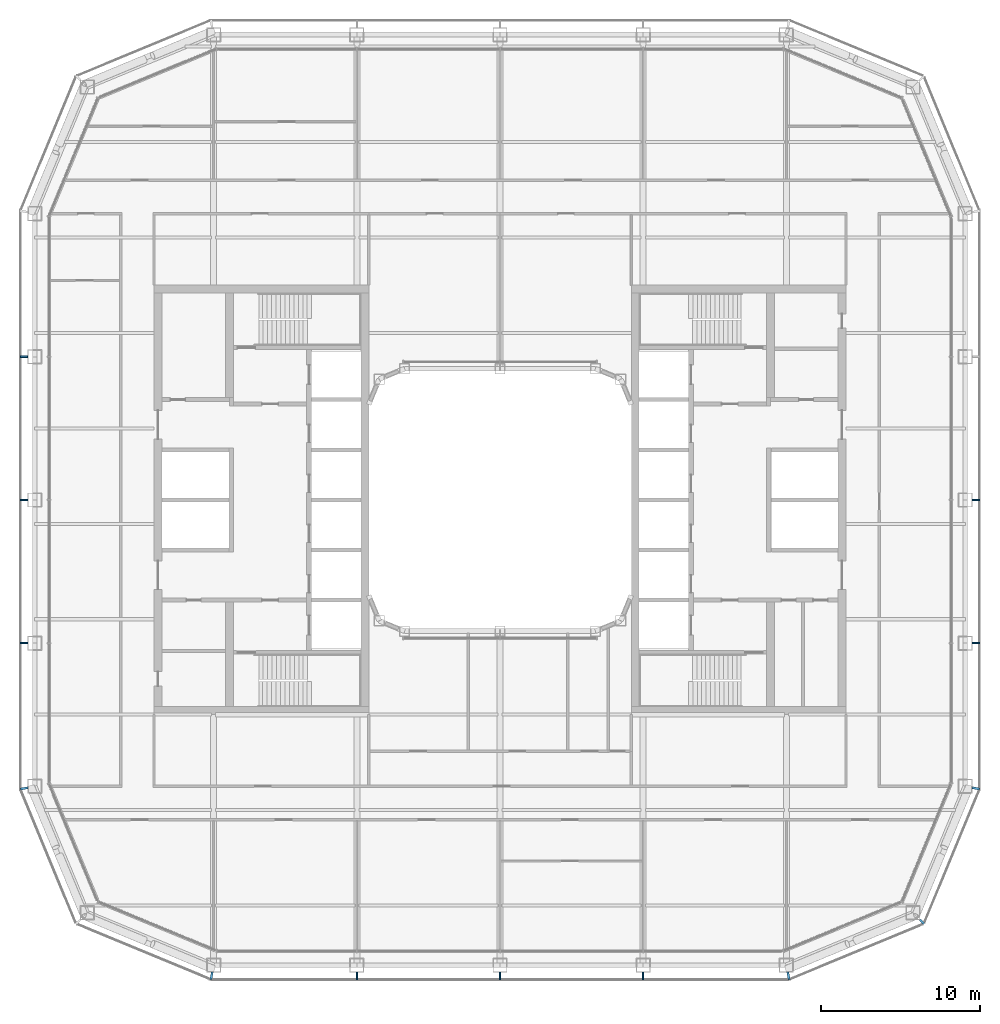
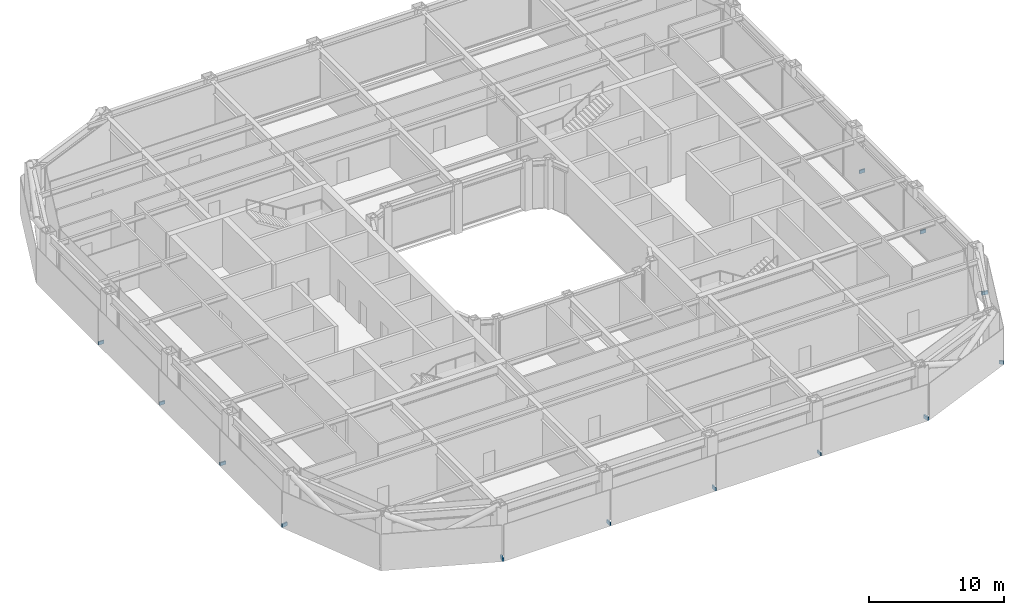
# One storey, part 15 of 21: 13 discrete accessories.
"""IFC4 building model written with IfcOpenShell, lengths in metres."""

from ifc_helpers import new_model, si_unit, direction, frame, origin, origin_2d, place, context, subcontext, project, spatial, rectangle, extrude, material, type_object, element, save


model = new_model("IFC4")

# Units and contexts
model_context = context("Model", 3, precision=1e-05, world=origin(), true_north=direction((0.0, 1.0)))
body_context = subcontext(model_context, "Body", "Model", "MODEL_VIEW")
ifc_project = project(units=[si_unit("LENGTHUNIT", "METRE"), si_unit("AREAUNIT", "SQUARE_METRE"), si_unit("VOLUMEUNIT", "CUBIC_METRE"), si_unit("PLANEANGLEUNIT", "RADIAN"), si_unit("MASSUNIT", "GRAM", prefix="KILO")], contexts=[model_context])

# Site, building, storey
site_placement = place(None, origin())
site = spatial("IfcSite", under=ifc_project, at=site_placement, CompositionType="ELEMENT")
building_placement = place(site_placement, origin())
building = spatial("IfcBuilding", under=site, at=building_placement, Name="Siwar Civic Tower", CompositionType="ELEMENT")
storey_placement = place(building_placement, frame((0.0, 0.0, 158.699951171875)))
storey = spatial("IfcBuildingStorey", under=building, at=storey_placement, Name="L34", CompositionType="ELEMENT", Elevation=158.699951171875)

# Discrete accessories
ifc_material = material(Name="Stainless steel 316", Category="steel")
discrete_accessory_type = type_object("IfcDiscreteAccessoryType", Name="ENV-BRACKET", PredefinedType="BRACKET", material=ifc_material)
for number, where, z_axis, x_axis, name in (
    (1, (29.9150390625, -9.0, -0.14990234375), (0.0, 0.0, 1.0), (1.0, 0.0, 0.0), "Bracket outer skin joint E-01"),
    (2, (29.9150390625, 0.0, -0.14990234375), (0.0, 0.0, 1.0), (1.0, 0.0, 0.0), "Bracket outer skin joint E-02"),
    (3, (-9.0, -29.9150390625, -0.14990234375), (0.0, 0.0, 1.0), (0.0, -1.0, 0.0), "Bracket outer skin joint S-01"),
    (4, (0.0, -29.9150390625, -0.14990234375), (0.0, 0.0, 1.0), (0.0, -1.0, 0.0), "Bracket outer skin joint S-02"),
    (5, (9.0, -29.9150390625, -0.14990234375), (0.0, 0.0, 1.0), (0.0, -1.0, 0.0), "Bracket outer skin joint S-03"),
):
    element("IfcDiscreteAccessory", number, at=place(storey_placement, frame(where, z_axis=z_axis, x_axis=x_axis)), inside=storey, type_object=discrete_accessory_type, Name=name, PredefinedType="BRACKET", context=body_context, shape_type="SweptSolid", body=[
        extrude(rectangle(XDim=0.469970703125, YDim=0.10009765625, at=origin_2d()), origin(), (0.0, 0.0, 1.0), 0.300048828125),
    ])
for number, where, z_axis, x_axis, name in (
    (6, (-18.13232421875, -29.915283203125, -0.14990234375), (0.0, 0.0, 1.0), (-0.195090322016, -0.980785280403, 0.0), "Bracket outer skin joint V00"),
    (7, (18.13232421875, -29.915283203125, -0.14990234375), (0.0, 0.0, 1.0), (0.195090322016, -0.980785280403, 0.0), "Bracket outer skin joint V01"),
):
    element("IfcDiscreteAccessory", number, at=place(storey_placement, frame(where, z_axis=z_axis, x_axis=x_axis)), inside=storey, type_object=discrete_accessory_type, Name=name, PredefinedType="BRACKET", context=body_context, shape_type="SweptSolid", body=[
        extrude(rectangle(XDim=0.478759765625, YDim=0.13720703125, at=origin_2d()), origin(), (0.0, 0.0, 1.0), 0.300048828125),
    ])
discrete_accessory_placement = place(storey_placement, frame((26.517333984375, -26.517333984375, -0.14990234375), z_axis=(0.0, 0.0, 1.0), x_axis=(0.707106781187, -0.707106781187, 0.0)))
element("IfcDiscreteAccessory", 8, at=discrete_accessory_placement, inside=storey, type_object=discrete_accessory_type, Name="Bracket outer skin joint V02", PredefinedType="BRACKET", context=body_context, shape_type="SweptSolid", body=[
    extrude(rectangle(XDim=0.357666015625, YDim=0.12939453125, at=origin_2d()), origin(), (0.0, 0.0, 1.0), 0.300048828125),
])
for number, where, z_axis, x_axis, name in (
    (9, (29.915283203125, -18.13232421875, -0.14990234375), (0.0, 0.0, 1.0), (0.980785280403, -0.195090322016, 0.0), "Bracket outer skin joint V03"),
    (10, (-29.915283203125, -18.13232421875, -0.14990234375), (0.0, 0.0, 1.0), (-0.980785280403, -0.195090322016, 0.0), "Bracket outer skin joint V10"),
):
    element("IfcDiscreteAccessory", number, at=place(storey_placement, frame(where, z_axis=z_axis, x_axis=x_axis)), inside=storey, type_object=discrete_accessory_type, Name=name, PredefinedType="BRACKET", context=body_context, shape_type="SweptSolid", body=[
        extrude(rectangle(XDim=0.478759765625, YDim=0.13720703125, at=origin_2d()), origin(), (0.0, 0.0, 1.0), 0.300048828125),
    ])
for number, where, z_axis, x_axis, name in (
    (11, (-29.9150390625, 9.0, -0.14990234375), (0.0, 0.0, 1.0), (-1.0, 0.0, 0.0), "Bracket outer skin joint W-01"),
    (12, (-29.9150390625, 0.0, -0.14990234375), (0.0, 0.0, 1.0), (-1.0, 0.0, 0.0), "Bracket outer skin joint W-02"),
    (13, (-29.9150390625, -9.0, -0.14990234375), (0.0, 0.0, 1.0), (-1.0, 0.0, 0.0), "Bracket outer skin joint W-03"),
):
    element("IfcDiscreteAccessory", number, at=place(storey_placement, frame(where, z_axis=z_axis, x_axis=x_axis)), inside=storey, type_object=discrete_accessory_type, Name=name, PredefinedType="BRACKET", context=body_context, shape_type="SweptSolid", body=[
        extrude(rectangle(XDim=0.469970703125, YDim=0.10009765625, at=origin_2d()), origin(), (0.0, 0.0, 1.0), 0.300048828125),
    ])

save(model, "model.ifc")
